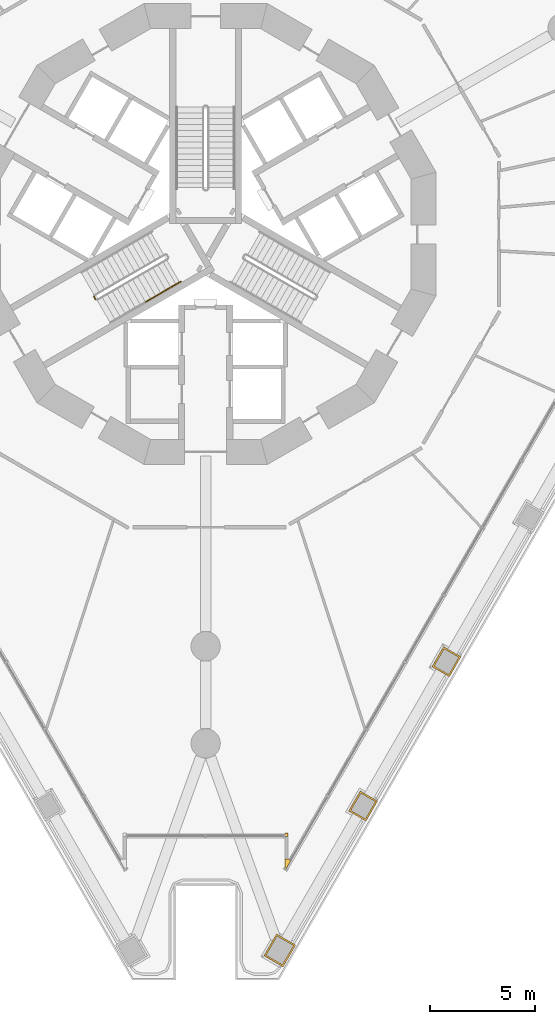
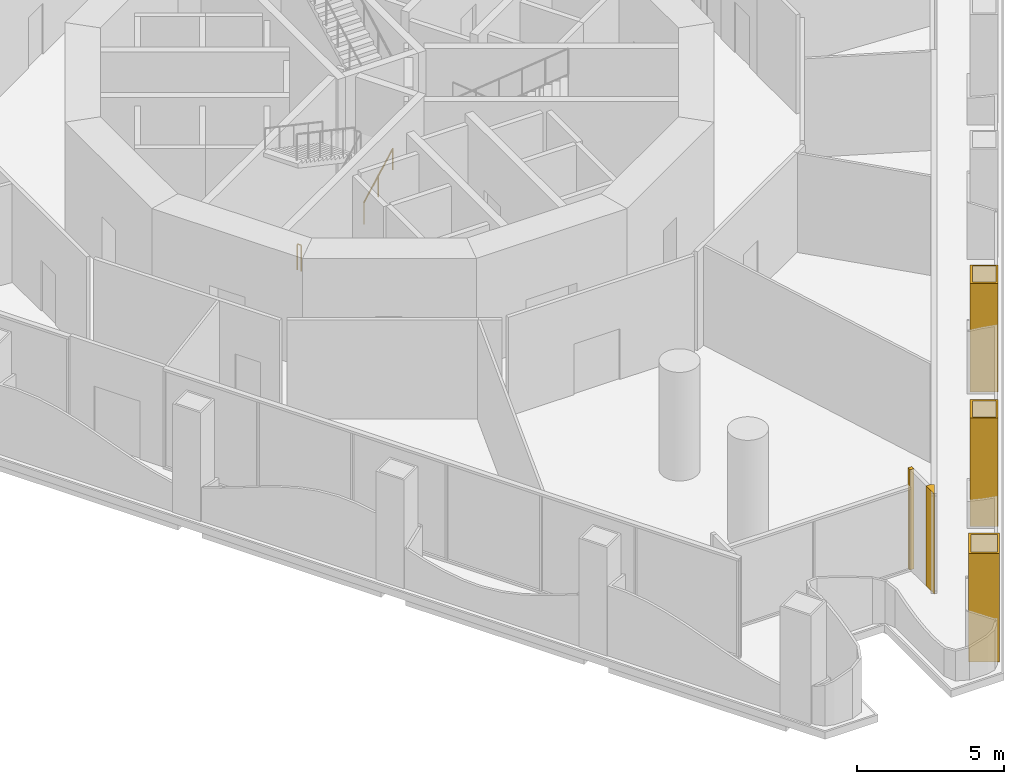
# One storey, part 16 of 21: 5 coverings, 2 railings.
"""IFC4 building model written with IfcOpenShell, lengths in metres."""

from ifc_helpers import new_model, si_unit, direction, frame, origin, origin_2d, place, context, subcontext, project, spatial, polyline, circle, outline, extrude, material, layer, layer_set, type_object, element, save


model = new_model("IFC4")

# Units and contexts
model_context = context("Model", 3, precision=1e-05, world=origin(), true_north=direction((0.0, 1.0)))
body_context = subcontext(model_context, "Body", "Model", "MODEL_VIEW")
ifc_project = project(units=[si_unit("LENGTHUNIT", "METRE"), si_unit("AREAUNIT", "SQUARE_METRE"), si_unit("VOLUMEUNIT", "CUBIC_METRE"), si_unit("PLANEANGLEUNIT", "RADIAN"), si_unit("MASSUNIT", "GRAM", prefix="KILO")], contexts=[model_context])

# Site, building, storey
site_placement = place(None, origin())
site = spatial("IfcSite", under=ifc_project, at=site_placement, CompositionType="ELEMENT")
building_placement = place(site_placement, origin())
building = spatial("IfcBuilding", under=site, at=building_placement, Name="Trine Commons Tower", CompositionType="ELEMENT")
storey_placement = place(building_placement, frame((0.0, 0.0, 13.5)))
storey = spatial("IfcBuildingStorey", under=building, at=storey_placement, Name="L02", CompositionType="ELEMENT", Elevation=13.5)

# Coverings
ifc_material_1 = material(Name="Aluminium-framed insulated wall panel", Category="aluminium")
ifc_layer_1 = layer(ifc_material_1, 0.14990234375)
ifc_layer_set_1 = layer_set([ifc_layer_1], Name="Aluminium-framed insulated wall panel")
covering_type_1 = type_object("IfcCoveringType", Name="Glazing corner post, aluminium", PredefinedType="CLADDING", material=ifc_layer_set_1)
covering_1_placement = place(storey_placement, origin())
element("IfcCovering", 1, at=covering_1_placement, inside=storey, type_object=covering_type_1, Name="Glazing corner post 1-09", PredefinedType="CLADDING", context=body_context, shape_type="SweptSolid", body=[
    extrude(outline(polyline([(83.7900390625, 32.635009765625), (83.7900390625, 32.0751953125), (84.06982421875, 32.56005859375), (83.93994140625, 32.635009765625), (83.93994140625, 32.635009765625), (83.7900390625, 32.635009765625)])), origin(), (0.0, 0.0, 1.0), 4.14990234375),
])
covering_2_placement = place(storey_placement, origin())
element("IfcCovering", 2, at=covering_2_placement, inside=storey, type_object=covering_type_1, Name="Glazing corner post 1-10", PredefinedType="CLADDING", context=body_context, shape_type="SweptSolid", body=[
    extrude(outline(polyline([(83.93994140625, 33.720703125), (83.93994140625, 33.870849609375), (83.7900390625, 33.870849609375), (83.7900390625, 33.720703125), (83.93994140625, 33.720703125)])), origin(), (0.0, 0.0, 1.0), 4.14990234375),
])
ifc_material_2 = material(Name="Limestone, honed", Category="masonry")
ifc_layer_2 = layer(ifc_material_2, 0.074951171875)
ifc_layer_set_2 = layer_set([ifc_layer_2], Name="Limestone, honed")
covering_type_2 = type_object("IfcCoveringType", Name="Limestone column cladding 75", PredefinedType="CLADDING", material=ifc_layer_set_2)
covering_3_placement = place(storey_placement, origin())
element("IfcCovering", 3, at=covering_3_placement, inside=storey, type_object=covering_type_2, Name="Limestone pier cladding 1-22", PredefinedType="CLADDING", context=body_context, shape_type="SweptSolid", body=[
    extrude(outline(polyline([(92.1943359375, 42.3017578125), (91.37158203125, 42.77685546875), (90.821533203125, 41.82421875), (91.644287109375, 41.34912109375), (92.1943359375, 42.3017578125)]), holes=[polyline([(92.091796875, 42.2744140625), (91.39892578125, 42.67431640625), (90.924072265625, 41.8515625), (91.61669921875, 41.45166015625), (92.091796875, 42.2744140625)])]), origin(), (0.0, 0.0, 1.0), 4.5),
])
covering_4_placement = place(storey_placement, origin())
element("IfcCovering", 4, at=covering_4_placement, inside=storey, type_object=covering_type_2, Name="Limestone pier cladding 1-23", PredefinedType="CLADDING", context=body_context, shape_type="SweptSolid", body=[
    extrude(outline(polyline([(88.212646484375, 35.4052734375), (87.389892578125, 35.88037109375), (86.83984375, 34.927734375), (87.66259765625, 34.45263671875), (88.212646484375, 35.4052734375)]), holes=[polyline([(88.110107421875, 35.3779296875), (87.417236328125, 35.77783203125), (86.9423828125, 34.955078125), (87.635009765625, 34.55517578125), (88.110107421875, 35.3779296875)])]), origin(), (0.0, 0.0, 1.0), 4.5),
])
covering_5_placement = place(storey_placement, origin())
element("IfcCovering", 5, at=covering_5_placement, inside=storey, type_object=covering_type_2, Name="Limestone pier cladding 1-24", PredefinedType="CLADDING", context=body_context, shape_type="SweptSolid", body=[
    extrude(outline(polyline([(84.29931640625, 28.527099609375), (83.389892578125, 29.052001953125), (82.789794921875, 28.012939453125), (83.69921875, 27.48779296875), (84.29931640625, 28.527099609375)]), holes=[polyline([(84.19677734375, 28.499755859375), (83.417236328125, 28.94970703125), (82.892333984375, 28.040283203125), (83.671630859375, 27.59033203125), (84.19677734375, 28.499755859375)])]), origin(), (0.0, 0.0, 1.0), 4.5),
])

# Railings
ifc_material_3 = material(Name="Stainless steel balustrade", Category="steel")
railing_type_1 = type_object("IfcRailingType", Name="Stair guard, steel balustrade 1100", PredefinedType="GUARDRAIL", material=ifc_material_3)
railing_1_placement = place(storey_placement, frame((74.73681640625, 59.374755859375, 0.0)))
element("IfcRailing", 6, at=railing_1_placement, inside=storey, type_object=railing_type_1, Name="L02 ST2A stair guard 4", PredefinedType="GUARDRAIL", context=body_context, shape_type="SweptSolid", body=[
    extrude(circle(Radius=0.02392578125, at=origin_2d()), frame((0.0, 0.0, 1.076171875), z_axis=(-0.499816412211, 0.866131372301, 0.0), x_axis=(-0.866131372301, -0.499816412211, 0.0)), (0.0, 0.0, 1.0), 0.14990234375),
    extrude(circle(Radius=0.02099609375, at=origin_2d()), origin(), (0.0, 0.0, 1.0), 1.052001953125),
    extrude(circle(Radius=0.02099609375, at=origin_2d()), frame((-0.074951171875, 0.1298828125, 0.0)), (0.0, 0.0, 1.0), 1.052001953125),
])
ifc_material_4 = material(Name="Stainless steel handrail", Category="steel")
railing_type_2 = type_object("IfcRailingType", Name="Stair handrail, steel 900", PredefinedType="HANDRAIL", material=ifc_material_4)
railing_2_placement = place(storey_placement, frame((77.127685546875, 59.25390625, 1.199951171875)))
element("IfcRailing", 7, at=railing_2_placement, inside=storey, type_object=railing_type_2, Name="L02 ST2A stair handrail 2", PredefinedType="HANDRAIL", context=body_context, shape_type="SweptSolid", body=[
    extrude(circle(Radius=0.02099609375, at=origin_2d()), frame((0.0, 0.0, 0.87890625), z_axis=(0.763352030933, 0.440750151347, 0.472263677365), x_axis=(-0.500024377727, 0.866011328839, 0.0)), (0.0, 0.0, 1.0), 2.223388671875),
    extrude(circle(Radius=0.01513671875, at=origin_2d()), origin(), (0.0, 0.0, 1.0), 0.85791015625),
    extrude(circle(Radius=0.01513671875, at=origin_2d()), frame((0.8486328125, 0.489990234375, 0.52490234375)), (0.0, 0.0, 1.0), 0.85791015625),
    extrude(circle(Radius=0.01513671875, at=origin_2d()), frame((1.697265625, 0.97998046875, 1.050048828125)), (0.0, 0.0, 1.0), 0.85791015625),
])

save(model, "model.ifc")
